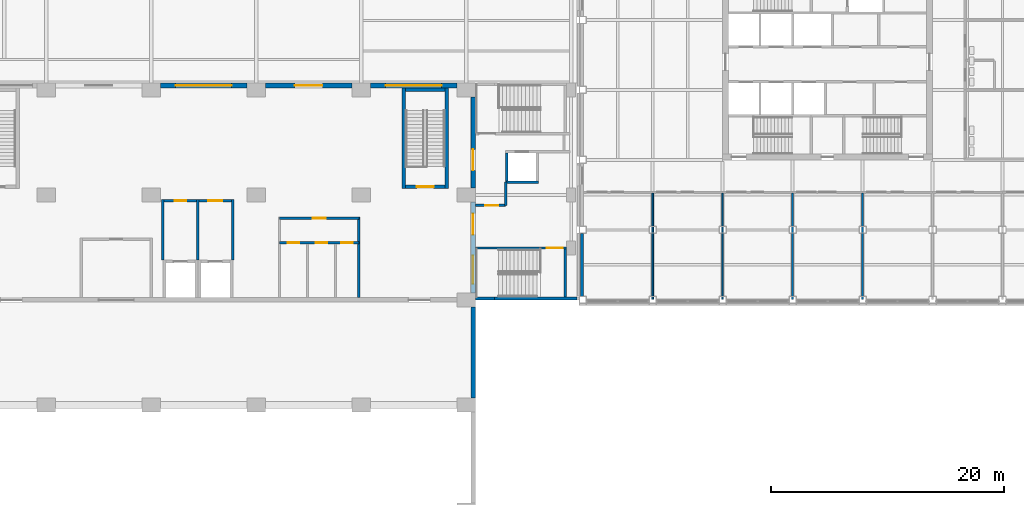
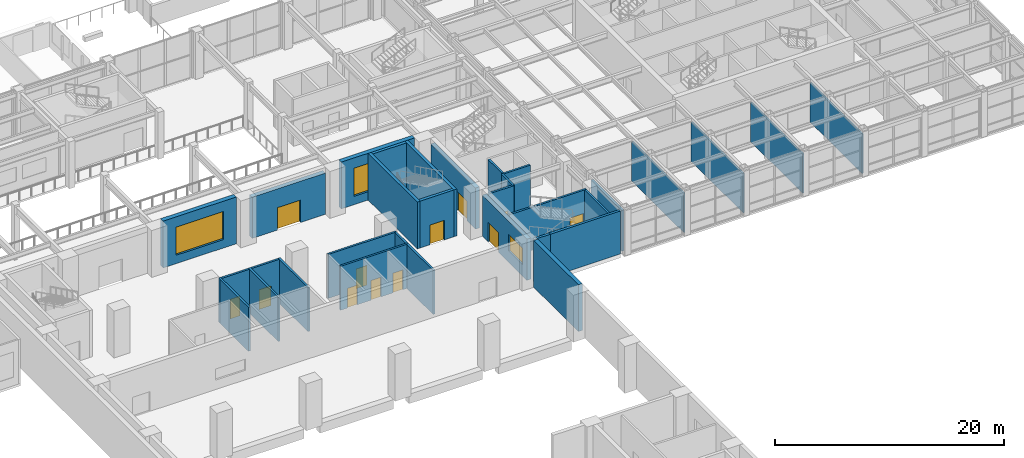
# One storey, part 41 of 67: 30 walls, 12 doors, 3 windows, 15 openings.
"""IFC4 building model written with IfcOpenShell, lengths in metres."""

from ifc_helpers import new_model, si_unit, direction, frame, frame_2d, origin, place, context, subcontext, project, spatial, rectangle, extrude, material, layer, layer_set, type_object, element, fill, save


model = new_model("IFC4")

# Units and contexts
model_context = context("Model", 3, precision=1e-05, world=origin(), true_north=direction((0.0, 1.0)))
body_context = subcontext(model_context, "Body", "Model", "MODEL_VIEW")
ifc_project = project(units=[si_unit("LENGTHUNIT", "METRE"), si_unit("AREAUNIT", "SQUARE_METRE"), si_unit("VOLUMEUNIT", "CUBIC_METRE"), si_unit("PLANEANGLEUNIT", "RADIAN"), si_unit("MASSUNIT", "GRAM", prefix="KILO")], contexts=[model_context])

# Site, building, storey
site_placement = place(None, origin())
site = spatial("IfcSite", under=ifc_project, at=site_placement, CompositionType="ELEMENT")
building_placement = place(site_placement, origin())
building = spatial("IfcBuilding", under=site, at=building_placement, Name="Aravalli Gate Trade Fair Centre", CompositionType="ELEMENT")
storey_placement = place(building_placement, frame((0.0, 0.0, 5.0)))
storey = spatial("IfcBuildingStorey", under=building, at=storey_placement, Name="L01", CompositionType="ELEMENT", Elevation=5.0)

# Walls
ifc_material_1 = material(Name="Concrete M40", Category="concrete")
ifc_layer_1 = layer(ifc_material_1, 0.300048828125)
ifc_layer_set_1 = layer_set([ifc_layer_1], Name="Concrete M40")
wall_type_1 = type_object("IfcWallType", Name="Congress RC wall 300", PredefinedType="SHEAR", material=ifc_layer_set_1)
for number, where, z_axis, x_axis, name in (
    (1, (144.64990234375, 100.550048828125, 0.0), (0.0, 0.0, 1.0), (0.0, 1.0, 0.0), "Foyer Stair East wall W L01"),
    (2, (148.35009765625, 100.550048828125, 0.0), (0.0, 0.0, 1.0), (0.0, 1.0, 0.0), "Foyer Stair East wall E L01"),
):
    element("IfcWall", number, at=place(storey_placement, frame(where, z_axis=z_axis, x_axis=x_axis)), inside=storey, type_object=wall_type_1, Name=name, PredefinedType="SHEAR", context=body_context, shape_type="SweptSolid", body=[
        extrude(rectangle(XDim=8.599853515625, YDim=0.300048828125, at=frame_2d((4.2998046875, 0.0))), origin(), (0.0, 0.0, 1.0), 5.0),
    ])

# Wall, opening, door
wall_1_placement = place(storey_placement, frame((144.800048828125, 100.699951171875, 0.0), z_axis=(0.0, 0.0, 1.0), x_axis=(1.0, 0.0, 0.0)))
wall_1 = element("IfcWall", 3, at=wall_1_placement, inside=storey, type_object=wall_type_1, Name="Foyer Stair East wall S L01", PredefinedType="SHEAR", context=body_context, shape_type="SweptSolid", body=[
    extrude(rectangle(XDim=3.39990234375, YDim=0.300048828125, at=frame_2d((1.699951171875, 0.0))), origin(), (0.0, 0.0, 1.0), 5.0),
])
opening_1_placement = place(wall_1_placement, frame((0.97509765625, 0.0, 0.0)))
opening_1 = element("IfcOpeningElement", 4, at=opening_1_placement, cuts=wall_1, Name="Opening G-L01-08", PredefinedType="OPENING", context=body_context, shape_type="SweptSolid", body=[
    extrude(rectangle(XDim=1.449951171875, YDim=2.10009765625, at=frame_2d((0.72509765625, 1.050048828125))), frame((0.0, 0.159912109375, 0.0), z_axis=(0.0, -1.0, 0.0), x_axis=(1.0, 0.0, 0.0)), (0.0, 0.0, 1.0), 0.320068359375),
])
ifc_material_2 = material(Name="Steel, fire rated", Category="steel")
door_type_1 = type_object("IfcDoorType", Name="Congress fire door FD120 1450 x 2100", OperationType="SINGLE_SWING_LEFT", PredefinedType="DOOR", material=ifc_material_2)
door_1_placement = place(opening_1_placement, origin())
door_1 = element("IfcDoor", 5, at=door_1_placement, inside=storey, type_object=door_type_1, Name="Foyer Stair East door L01", OperationType="SINGLE_SWING_LEFT", OverallHeight=2.10009765625, OverallWidth=1.449951171875, PredefinedType="DOOR", context=body_context, shape_type="SweptSolid", body=[
    extrude(rectangle(XDim=1.449951171875, YDim=2.10009765625, at=frame_2d((0.72509765625, 1.050048828125))), frame((0.0, 0.02490234375, 0.0), z_axis=(0.0, -1.0, 0.0), x_axis=(1.0, 0.0, 0.0)), (0.0, 0.0, 1.0), 0.050048828125),
])
fill(opening_1, door_1)

# Walls
wall_2_placement = place(storey_placement, frame((144.800048828125, 109.0, 0.0), z_axis=(0.0, 0.0, 1.0), x_axis=(1.0, 0.0, 0.0)))
element("IfcWall", 6, at=wall_2_placement, inside=storey, type_object=wall_type_1, Name="Foyer Stair East wall N L01", PredefinedType="SHEAR", context=body_context, shape_type="SweptSolid", body=[
    extrude(rectangle(XDim=3.39990234375, YDim=0.300048828125, at=frame_2d((1.699951171875, 0.0))), origin(), (0.0, 0.0, 1.0), 5.0),
])
ifc_layer_2 = layer(ifc_material_1, 0.25, Name="Structural wall")
ifc_material_3 = material(Name="Ventilated air cavity")
ifc_layer_3 = layer(ifc_material_3, 0.050048828125, ventilated=True, Name="Ventilated cavity")
ifc_material_4 = material(Name="Terracotta rainscreen", Category="masonry")
ifc_layer_4 = layer(ifc_material_4, 0.10009765625, Name="Rainscreen cladding")
ifc_layer_set_2 = layer_set([ifc_layer_2, ifc_layer_3, ifc_layer_4], Name="Congress external wall 400")
wall_type_2 = type_object("IfcWallType", Name="Congress external wall 400", PredefinedType="SOLIDWALL", material=ifc_layer_set_2)
wall_3_placement = place(storey_placement, frame((150.60009765625, 82.60009765625, 0.0), z_axis=(0.0, 0.0, 1.0), x_axis=(0.0, 1.0, 0.0)))
element("IfcWall", 7, at=wall_3_placement, inside=storey, type_object=wall_type_2, Name="East wall L01 bay 5", PredefinedType="SOLIDWALL", context=body_context, shape_type="SweptSolid", body=[
    extrude(rectangle(XDim=7.7998046875, YDim=0.39990234375, at=frame_2d((3.89990234375, 0.0))), origin(), (0.0, 0.0, 1.0), 5.0),
])

# Wall, openings, door, window
wall_4_placement = place(storey_placement, frame((150.60009765625, 91.60009765625, 0.0), z_axis=(0.0, 0.0, 1.0), x_axis=(0.0, 1.0, 0.0)))
wall_4 = element("IfcWall", 8, at=wall_4_placement, inside=storey, type_object=wall_type_2, Name="East wall L01 bay 6", PredefinedType="SOLIDWALL", context=body_context, shape_type="SweptSolid", body=[
    extrude(rectangle(XDim=7.7998046875, YDim=0.39990234375, at=frame_2d((3.89990234375, 0.0))), origin(), (0.0, 0.0, 1.0), 4.39990234375),
])
opening_2_placement = place(wall_4_placement, frame((5.0, 0.0, 0.0)))
opening_2 = element("IfcOpeningElement", 9, at=opening_2_placement, cuts=wall_4, Name="Opening G-L01-01", PredefinedType="OPENING", context=body_context, shape_type="SweptSolid", body=[
    extrude(rectangle(XDim=1.800048828125, YDim=2.10009765625, at=frame_2d((0.89990234375, 1.050048828125))), frame((0.0, 0.2099609375, 0.0), z_axis=(0.0, -1.0, 0.0), x_axis=(1.0, 0.0, 0.0)), (0.0, 0.0, 1.0), 0.419921875),
])
opening_3_placement = place(wall_4_placement, frame((0.800048828125, 0.0, 1.199951171875)))
opening_3 = element("IfcOpeningElement", 10, at=opening_3_placement, cuts=wall_4, Name="Opening GWN4", PredefinedType="OPENING", context=body_context, shape_type="SweptSolid", body=[
    extrude(rectangle(XDim=2.39990234375, YDim=1.800048828125, at=frame_2d((1.199951171875, 0.89990234375))), frame((0.0, 0.2099609375, 0.0), z_axis=(0.0, -1.0, 0.0), x_axis=(1.0, 0.0, 0.0)), (0.0, 0.0, 1.0), 0.419921875),
])
door_type_2 = type_object("IfcDoorType", Name="Congress fire door FD120 1800 x 2100 double door single swing", OperationType="DOUBLE_DOOR_SINGLE_SWING", PredefinedType="DOOR", material=ifc_material_2)
door_2_placement = place(opening_2_placement, frame((1.800048828125, 0.0, 0.0), z_axis=(0.0, 0.0, 1.0), x_axis=(-1.0, 0.0, 0.0)))
door_2 = element("IfcDoor", 11, at=door_2_placement, inside=storey, type_object=door_type_2, Name="Link door L01 1", OperationType="DOUBLE_DOOR_SINGLE_SWING", OverallHeight=2.10009765625, OverallWidth=1.800048828125, PredefinedType="DOOR", context=body_context, shape_type="SweptSolid", body=[
    extrude(rectangle(XDim=1.800048828125, YDim=2.10009765625, at=frame_2d((0.89990234375, 1.050048828125))), frame((0.0, 0.02490234375, 0.0), z_axis=(0.0, -1.0, 0.0), x_axis=(1.0, 0.0, 0.0)), (0.0, 0.0, 1.0), 0.050048828125),
])
fill(opening_2, door_2)
ifc_material_5 = material(Name="Aluminium and glass", Category="aluminium")
window_type_1 = type_object("IfcWindowType", Name="Congress wing window 2400 x 1800", PartitioningType="DOUBLE_PANEL_VERTICAL", PredefinedType="WINDOW", material=ifc_material_5)
window_1_placement = place(opening_3_placement, origin())
window_1 = element("IfcWindow", 12, at=window_1_placement, inside=storey, type_object=window_type_1, Name="East window L01 bay 6", OverallHeight=1.800048828125, OverallWidth=2.39990234375, PartitioningType="SINGLE_PANEL", PredefinedType="WINDOW", context=body_context, shape_type="SweptSolid", body=[
    extrude(rectangle(XDim=2.39990234375, YDim=1.800048828125, at=frame_2d((1.199951171875, 0.89990234375))), frame((0.0, 0.030029296875, 0.0), z_axis=(0.0, -1.0, 0.0), x_axis=(1.0, 0.0, 0.0)), (0.0, 0.0, 1.0), 0.06005859375),
])
fill(opening_3, window_1)

# Wall, opening, door
wall_5_placement = place(storey_placement, frame((150.60009765625, 100.60009765625, 0.0), z_axis=(0.0, 0.0, 1.0), x_axis=(0.0, 1.0, 0.0)))
wall_5 = element("IfcWall", 13, at=wall_5_placement, inside=storey, type_object=wall_type_2, Name="East wall L01 bay 7", PredefinedType="SOLIDWALL", context=body_context, shape_type="SweptSolid", body=[
    extrude(rectangle(XDim=7.7998046875, YDim=0.39990234375, at=frame_2d((3.89990234375, 0.0))), origin(), (0.0, 0.0, 1.0), 4.39990234375),
])
opening_4_placement = place(wall_5_placement, frame((1.5, 0.0, 0.0)))
opening_4 = element("IfcOpeningElement", 14, at=opening_4_placement, cuts=wall_5, Name="Opening G-L01-02", PredefinedType="OPENING", context=body_context, shape_type="SweptSolid", body=[
    extrude(rectangle(XDim=1.800048828125, YDim=2.10009765625, at=frame_2d((0.89990234375, 1.050048828125))), frame((0.0, 0.2099609375, 0.0), z_axis=(0.0, -1.0, 0.0), x_axis=(1.0, 0.0, 0.0)), (0.0, 0.0, 1.0), 0.419921875),
])
door_3_placement = place(opening_4_placement, frame((1.800048828125, 0.0, 0.0), z_axis=(0.0, 0.0, 1.0), x_axis=(-1.0, 0.0, 0.0)))
door_3 = element("IfcDoor", 15, at=door_3_placement, inside=storey, type_object=door_type_2, Name="Link door L01 2", OperationType="DOUBLE_DOOR_SINGLE_SWING", OverallHeight=2.10009765625, OverallWidth=1.800048828125, PredefinedType="DOOR", context=body_context, shape_type="SweptSolid", body=[
    extrude(rectangle(XDim=1.800048828125, YDim=2.10009765625, at=frame_2d((0.89990234375, 1.050048828125))), frame((0.0, 0.02490234375, 0.0), z_axis=(0.0, -1.0, 0.0), x_axis=(1.0, 0.0, 0.0)), (0.0, 0.0, 1.0), 0.050048828125),
])
fill(opening_4, door_3)

# Walls
ifc_material_6 = material(Name="Concrete block masonry", Category="masonry")
ifc_layer_5 = layer(ifc_material_6, 0.199951171875)
ifc_layer_set_3 = layer_set([ifc_layer_5], Name="Concrete block masonry")
wall_type_3 = type_object("IfcWallType", Name="Congress partition 200", PredefinedType="PARTITIONING", material=ifc_layer_set_3)
for number, where, z_axis, x_axis, name in (
    (16, (124.0, 94.39990234375, 0.0), (0.0, 0.0, 1.0), (0.0, 1.0, 0.0), "Lift lobby wall W L01"),
    (17, (127.0, 94.39990234375, 0.0), (0.0, 0.0, 1.0), (0.0, 1.0, 0.0), "Lift lobby wall M L01"),
    (18, (130.0, 94.39990234375, 0.0), (0.0, 0.0, 1.0), (0.0, 1.0, 0.0), "Lift lobby wall E L01"),
):
    element("IfcWall", number, at=place(storey_placement, frame(where, z_axis=z_axis, x_axis=x_axis)), inside=storey, type_object=wall_type_3, Name=name, PredefinedType="PARTITIONING", context=body_context, shape_type="SweptSolid", body=[
        extrude(rectangle(XDim=5.2001953125, YDim=0.199951171875, at=frame_2d((2.60009765625, 0.0))), origin(), (0.0, 0.0, 1.0), 4.699951171875),
    ])

# Wall, openings, doors
wall_6_placement = place(storey_placement, frame((123.89990234375, 99.5, 0.0), z_axis=(0.0, 0.0, 1.0), x_axis=(1.0, 0.0, 0.0)))
wall_6 = element("IfcWall", 19, at=wall_6_placement, inside=storey, type_object=wall_type_3, Name="Lift lobby wall N L01", PredefinedType="PARTITIONING", context=body_context, shape_type="SweptSolid", body=[
    extrude(rectangle(XDim=6.2001953125, YDim=0.199951171875, at=frame_2d((3.10009765625, 0.0))), origin(), (0.0, 0.0, 1.0), 4.699951171875),
])
opening_5_placement = place(wall_6_placement, frame((1.10009765625, 0.0, 0.0)))
opening_5 = element("IfcOpeningElement", 20, at=opening_5_placement, cuts=wall_6, Name="Opening G-L01-11", PredefinedType="OPENING", context=body_context, shape_type="SweptSolid", body=[
    extrude(rectangle(XDim=1.0, YDim=2.10009765625, at=frame_2d((0.5, 1.050048828125))), frame((0.0, 0.10986328125, 0.0), z_axis=(0.0, -1.0, 0.0), x_axis=(1.0, 0.0, 0.0)), (0.0, 0.0, 1.0), 0.219970703125),
])
opening_6_placement = place(wall_6_placement, frame((4.0, 0.0, 0.0)))
opening_6 = element("IfcOpeningElement", 21, at=opening_6_placement, cuts=wall_6, Name="Opening G-L01-12", PredefinedType="OPENING", context=body_context, shape_type="SweptSolid", body=[
    extrude(rectangle(XDim=1.199951171875, YDim=2.10009765625, at=frame_2d((0.60009765625, 1.050048828125))), frame((0.0, 0.10986328125, 0.0), z_axis=(0.0, -1.0, 0.0), x_axis=(1.0, 0.0, 0.0)), (0.0, 0.0, 1.0), 0.219970703125),
])
door_type_3 = type_object("IfcDoorType", Name="Congress fire door FD120 1200 x 2100", OperationType="SINGLE_SWING_LEFT", PredefinedType="DOOR", material=ifc_material_2)
door_4_placement = place(opening_6_placement, frame((1.199951171875, 0.0, 0.0), z_axis=(0.0, 0.0, 1.0), x_axis=(-1.0, 0.0, 0.0)))
door_4 = element("IfcDoor", 22, at=door_4_placement, inside=storey, type_object=door_type_3, Name="Firefighting lobby door L01", OperationType="SINGLE_SWING_RIGHT", OverallHeight=2.10009765625, OverallWidth=1.199951171875, PredefinedType="DOOR", context=body_context, shape_type="SweptSolid", body=[
    extrude(rectangle(XDim=1.199951171875, YDim=2.10009765625, at=frame_2d((0.60009765625, 1.050048828125))), frame((0.0, 0.02490234375, 0.0), z_axis=(0.0, -1.0, 0.0), x_axis=(1.0, 0.0, 0.0)), (0.0, 0.0, 1.0), 0.050048828125),
])
fill(opening_6, door_4)
door_type_4 = type_object("IfcDoorType", Name="Congress fire door FD60 1000 x 2100", OperationType="SINGLE_SWING_LEFT", PredefinedType="DOOR", material=ifc_material_2)
door_5_placement = place(opening_5_placement, frame((1.0, 0.0, 0.0), z_axis=(0.0, 0.0, 1.0), x_axis=(-1.0, 0.0, 0.0)))
door_5 = element("IfcDoor", 23, at=door_5_placement, inside=storey, type_object=door_type_4, Name="Lift lobby door L01", OperationType="SINGLE_SWING_LEFT", OverallHeight=2.10009765625, OverallWidth=1.0, PredefinedType="DOOR", context=body_context, shape_type="SweptSolid", body=[
    extrude(rectangle(XDim=1.0, YDim=2.10009765625, at=frame_2d((0.5, 1.050048828125))), frame((0.0, 0.02490234375, 0.0), z_axis=(0.0, -1.0, 0.0), x_axis=(1.0, 0.0, 0.0)), (0.0, 0.0, 1.0), 0.050048828125),
])
fill(opening_5, door_5)

# Wall
wall_7_placement = place(storey_placement, frame((140.800048828125, 91.199951171875, 0.0), z_axis=(0.0, 0.0, 1.0), x_axis=(0.0, 1.0, 0.0)))
element("IfcWall", 24, at=wall_7_placement, inside=storey, type_object=wall_type_3, Name="WC block wall E L01", PredefinedType="PARTITIONING", context=body_context, shape_type="SweptSolid", body=[
    extrude(rectangle(XDim=6.900146484375, YDim=0.199951171875, at=frame_2d((3.4501953125, 0.0))), origin(), (0.0, 0.0, 1.0), 4.699951171875),
])

# Wall, opening, door
wall_8_placement = place(storey_placement, frame((134.0, 98.0, 0.0), z_axis=(0.0, 0.0, 1.0), x_axis=(1.0, 0.0, 0.0)))
wall_8 = element("IfcWall", 25, at=wall_8_placement, inside=storey, type_object=wall_type_3, Name="WC block front wall L01", PredefinedType="PARTITIONING", context=body_context, shape_type="SweptSolid", body=[
    extrude(rectangle(XDim=6.800048828125, YDim=0.199951171875, at=frame_2d((3.39990234375, 0.0))), origin(), (0.0, 0.0, 1.0), 4.699951171875),
])
opening_7_placement = place(wall_8_placement, frame((2.85009765625, 0.0, 0.0)))
opening_7 = element("IfcOpeningElement", 26, at=opening_7_placement, cuts=wall_8, Name="Opening G-L01-13", PredefinedType="OPENING", context=body_context, shape_type="SweptSolid", body=[
    extrude(rectangle(XDim=1.10009765625, YDim=2.10009765625, at=frame_2d((0.550048828125, 1.050048828125))), frame((0.0, 0.10986328125, 0.0), z_axis=(0.0, -1.0, 0.0), x_axis=(1.0, 0.0, 0.0)), (0.0, 0.0, 1.0), 0.219970703125),
])
door_type_5 = type_object("IfcDoorType", Name="Congress fire door FD60 1100 x 2100", OperationType="SINGLE_SWING_LEFT", PredefinedType="DOOR", material=ifc_material_2)
door_6_placement = place(opening_7_placement, frame((1.10009765625, 0.0, 0.0), z_axis=(0.0, 0.0, 1.0), x_axis=(-1.0, 0.0, 0.0)))
door_6 = element("IfcDoor", 27, at=door_6_placement, inside=storey, type_object=door_type_5, Name="WC anteroom door L01", OperationType="SINGLE_SWING_LEFT", OverallHeight=2.10009765625, OverallWidth=1.10009765625, PredefinedType="DOOR", context=body_context, shape_type="SweptSolid", body=[
    extrude(rectangle(XDim=1.10009765625, YDim=2.10009765625, at=frame_2d((0.550048828125, 1.050048828125))), frame((0.0, 0.02490234375, 0.0), z_axis=(0.0, -1.0, 0.0), x_axis=(1.0, 0.0, 0.0)), (0.0, 0.0, 1.0), 0.050048828125),
])
fill(opening_7, door_6)

# Wall, openings, doors
wall_9_placement = place(storey_placement, frame((134.0, 95.89990234375, 0.0), z_axis=(0.0, 0.0, 1.0), x_axis=(1.0, 0.0, 0.0)))
wall_9 = element("IfcWall", 28, at=wall_9_placement, inside=storey, type_object=wall_type_3, Name="WC block partition L01", PredefinedType="PARTITIONING", context=body_context, shape_type="SweptSolid", body=[
    extrude(rectangle(XDim=6.800048828125, YDim=0.199951171875, at=frame_2d((3.39990234375, 0.0))), origin(), (0.0, 0.0, 1.0), 4.699951171875),
])
opening_8_placement = place(wall_9_placement, frame((0.699951171875, 0.0, 0.0)))
opening_8 = element("IfcOpeningElement", 29, at=opening_8_placement, cuts=wall_9, Name="Opening G-L01-14", PredefinedType="OPENING", context=body_context, shape_type="SweptSolid", body=[
    extrude(rectangle(XDim=1.0, YDim=2.10009765625, at=frame_2d((0.5, 1.050048828125))), frame((0.0, 0.10986328125, 0.0), z_axis=(0.0, -1.0, 0.0), x_axis=(1.0, 0.0, 0.0)), (0.0, 0.0, 1.0), 0.219970703125),
])
opening_9_placement = place(wall_9_placement, frame((3.10009765625, 0.0, 0.0)))
opening_9 = element("IfcOpeningElement", 30, at=opening_9_placement, cuts=wall_9, Name="Opening G-L01-15", PredefinedType="OPENING", context=body_context, shape_type="SweptSolid", body=[
    extrude(rectangle(XDim=1.0, YDim=2.10009765625, at=frame_2d((0.5, 1.050048828125))), frame((0.0, 0.10986328125, 0.0), z_axis=(0.0, -1.0, 0.0), x_axis=(1.0, 0.0, 0.0)), (0.0, 0.0, 1.0), 0.219970703125),
])
opening_10_placement = place(wall_9_placement, frame((5.300048828125, 0.0, 0.0)))
opening_10 = element("IfcOpeningElement", 31, at=opening_10_placement, cuts=wall_9, Name="Opening G-L01-16", PredefinedType="OPENING", context=body_context, shape_type="SweptSolid", body=[
    extrude(rectangle(XDim=1.0, YDim=2.10009765625, at=frame_2d((0.5, 1.050048828125))), frame((0.0, 0.10986328125, 0.0), z_axis=(0.0, -1.0, 0.0), x_axis=(1.0, 0.0, 0.0)), (0.0, 0.0, 1.0), 0.219970703125),
])
ifc_material_7 = material(Name="Timber and steel", Category="steel")
door_type_6 = type_object("IfcDoorType", Name="Congress door 1000 x 2100", OperationType="SINGLE_SWING_LEFT", PredefinedType="DOOR", material=ifc_material_7)
door_7_placement = place(opening_8_placement, frame((1.0, 0.0, 0.0), z_axis=(0.0, 0.0, 1.0), x_axis=(-1.0, 0.0, 0.0)))
door_7 = element("IfcDoor", 32, at=door_7_placement, inside=storey, type_object=door_type_6, Name="Gents WC door L01", OperationType="SINGLE_SWING_LEFT", OverallHeight=2.10009765625, OverallWidth=1.0, PredefinedType="DOOR", context=body_context, shape_type="SweptSolid", body=[
    extrude(rectangle(XDim=1.0, YDim=2.10009765625, at=frame_2d((0.5, 1.050048828125))), frame((0.0, 0.02490234375, 0.0), z_axis=(0.0, -1.0, 0.0), x_axis=(1.0, 0.0, 0.0)), (0.0, 0.0, 1.0), 0.050048828125),
])
fill(opening_8, door_7)
door_8_placement = place(opening_9_placement, frame((1.0, 0.0, 0.0), z_axis=(0.0, 0.0, 1.0), x_axis=(-1.0, 0.0, 0.0)))
door_8 = element("IfcDoor", 33, at=door_8_placement, inside=storey, type_object=door_type_6, Name="Ladies WC door L01", OperationType="SINGLE_SWING_RIGHT", OverallHeight=2.10009765625, OverallWidth=1.0, PredefinedType="DOOR", context=body_context, shape_type="SweptSolid", body=[
    extrude(rectangle(XDim=1.0, YDim=2.10009765625, at=frame_2d((0.5, 1.050048828125))), frame((0.0, 0.02490234375, 0.0), z_axis=(0.0, -1.0, 0.0), x_axis=(1.0, 0.0, 0.0)), (0.0, 0.0, 1.0), 0.050048828125),
])
fill(opening_9, door_8)
door_9_placement = place(opening_10_placement, frame((1.0, 0.0, 0.0), z_axis=(0.0, 0.0, 1.0), x_axis=(-1.0, 0.0, 0.0)))
door_9 = element("IfcDoor", 34, at=door_9_placement, inside=storey, type_object=door_type_6, Name="Accessible WC door L01", OperationType="SINGLE_SWING_RIGHT", OverallHeight=2.10009765625, OverallWidth=1.0, PredefinedType="DOOR", context=body_context, shape_type="SweptSolid", body=[
    extrude(rectangle(XDim=1.0, YDim=2.10009765625, at=frame_2d((0.5, 1.050048828125))), frame((0.0, 0.02490234375, 0.0), z_axis=(0.0, -1.0, 0.0), x_axis=(1.0, 0.0, 0.0)), (0.0, 0.0, 1.0), 0.050048828125),
])
fill(opening_10, door_9)

# Wall, opening, window
ifc_layer_6 = layer(ifc_material_1, 0.449951171875)
ifc_layer_set_4 = layer_set([ifc_layer_6], Name="Concrete M40")
wall_type_4 = type_object("IfcWallType", Name="Congress party wall 450", PredefinedType="SOLIDWALL", material=ifc_layer_set_4)
wall_10_placement = place(storey_placement, frame((123.800048828125, 109.375, 0.0), z_axis=(0.0, 0.0, 1.0), x_axis=(1.0, 0.0, 0.0)))
wall_10 = element("IfcWall", 35, at=wall_10_placement, inside=storey, type_object=wall_type_4, Name="North wall L01 bay 3", PredefinedType="SOLIDWALL", context=body_context, shape_type="SweptSolid", body=[
    extrude(rectangle(XDim=7.39990234375, YDim=0.449951171875, at=frame_2d((3.699951171875, 0.0))), origin(), (0.0, 0.0, 1.0), 5.0),
])
opening_11_placement = place(wall_10_placement, frame((1.300048828125, 0.0, 0.89990234375)))
opening_11 = element("IfcOpeningElement", 36, at=opening_11_placement, cuts=wall_10, Name="Opening GWN3", PredefinedType="OPENING", context=body_context, shape_type="SweptSolid", body=[
    extrude(rectangle(XDim=4.800048828125, YDim=3.0, at=frame_2d((2.39990234375, 1.5))), frame((0.0, 0.23486328125, 0.0), z_axis=(0.0, -1.0, 0.0), x_axis=(1.0, 0.0, 0.0)), (0.0, 0.0, 1.0), 0.469970703125),
])
window_type_2 = type_object("IfcWindowType", Name="Congress foyer window 4800 x 3000", PartitioningType="SINGLE_PANEL", PredefinedType="WINDOW", material=ifc_material_5)
window_2_placement = place(opening_11_placement, origin())
window_2 = element("IfcWindow", 37, at=window_2_placement, inside=storey, type_object=window_type_2, Name="Foyer window L01 bay 3", OverallHeight=3.0, OverallWidth=4.800048828125, PartitioningType="SINGLE_PANEL", PredefinedType="WINDOW", context=body_context, shape_type="SweptSolid", body=[
    extrude(rectangle(XDim=4.800048828125, YDim=3.0, at=frame_2d((2.39990234375, 1.5))), frame((0.0, 0.030029296875, 0.0), z_axis=(0.0, -1.0, 0.0), x_axis=(1.0, 0.0, 0.0)), (0.0, 0.0, 1.0), 0.06005859375),
])
fill(opening_11, window_2)

# Wall, opening, door
wall_11_placement = place(storey_placement, frame((132.800048828125, 109.375, 0.0), z_axis=(0.0, 0.0, 1.0), x_axis=(1.0, 0.0, 0.0)))
wall_11 = element("IfcWall", 38, at=wall_11_placement, inside=storey, type_object=wall_type_4, Name="North wall L01 bay 4", PredefinedType="SOLIDWALL", context=body_context, shape_type="SweptSolid", body=[
    extrude(rectangle(XDim=7.39990234375, YDim=0.449951171875, at=frame_2d((3.699951171875, 0.0))), origin(), (0.0, 0.0, 1.0), 4.39990234375),
])
opening_12_placement = place(wall_11_placement, frame((2.52490234375, 0.0, 0.0)))
opening_12 = element("IfcOpeningElement", 39, at=opening_12_placement, cuts=wall_11, Name="Opening G-L01-04", PredefinedType="OPENING", context=body_context, shape_type="SweptSolid", body=[
    extrude(rectangle(XDim=2.35009765625, YDim=2.39990234375, at=frame_2d((1.175048828125, 1.199951171875))), frame((0.0, 0.23486328125, 0.0), z_axis=(0.0, -1.0, 0.0), x_axis=(1.0, 0.0, 0.0)), (0.0, 0.0, 1.0), 0.469970703125),
])
door_type_7 = type_object("IfcDoorType", Name="Congress glazed entrance door 2350 x 2400 double door single swing", OperationType="DOUBLE_DOOR_SINGLE_SWING", PredefinedType="DOOR", material=ifc_material_5)
door_10_placement = place(opening_12_placement, frame((2.35009765625, 0.0, 0.0), z_axis=(0.0, 0.0, 1.0), x_axis=(-1.0, 0.0, 0.0)))
door_10 = element("IfcDoor", 40, at=door_10_placement, inside=storey, type_object=door_type_7, Name="Foyer gallery door L01 3", OperationType="DOUBLE_DOOR_SINGLE_SWING", OverallHeight=2.39990234375, OverallWidth=2.35009765625, PredefinedType="DOOR", context=body_context, shape_type="SweptSolid", body=[
    extrude(rectangle(XDim=2.35009765625, YDim=2.39990234375, at=frame_2d((1.175048828125, 1.199951171875))), frame((0.0, 0.02490234375, 0.0), z_axis=(0.0, -1.0, 0.0), x_axis=(1.0, 0.0, 0.0)), (0.0, 0.0, 1.0), 0.050048828125),
])
fill(opening_12, door_10)

# Wall, opening, window
wall_12_placement = place(storey_placement, frame((141.800048828125, 109.375, 0.0), z_axis=(0.0, 0.0, 1.0), x_axis=(1.0, 0.0, 0.0)))
wall_12 = element("IfcWall", 41, at=wall_12_placement, inside=storey, type_object=wall_type_4, Name="North wall L01 bay 5", PredefinedType="SOLIDWALL", context=body_context, shape_type="SweptSolid", body=[
    extrude(rectangle(XDim=7.39990234375, YDim=0.449951171875, at=frame_2d((3.699951171875, 0.0))), origin(), (0.0, 0.0, 1.0), 5.0),
])
opening_13_placement = place(wall_12_placement, frame((1.300048828125, 0.0, 0.89990234375)))
opening_13 = element("IfcOpeningElement", 42, at=opening_13_placement, cuts=wall_12, Name="Opening GWN3", PredefinedType="OPENING", context=body_context, shape_type="SweptSolid", body=[
    extrude(rectangle(XDim=4.800048828125, YDim=3.0, at=frame_2d((2.39990234375, 1.5))), frame((0.0, 0.23486328125, 0.0), z_axis=(0.0, -1.0, 0.0), x_axis=(1.0, 0.0, 0.0)), (0.0, 0.0, 1.0), 0.469970703125),
])
window_3_placement = place(opening_13_placement, origin())
window_3 = element("IfcWindow", 43, at=window_3_placement, inside=storey, type_object=window_type_2, Name="Foyer window L01 bay 5", OverallHeight=3.0, OverallWidth=4.800048828125, PartitioningType="SINGLE_PANEL", PredefinedType="WINDOW", context=body_context, shape_type="SweptSolid", body=[
    extrude(rectangle(XDim=4.800048828125, YDim=3.0, at=frame_2d((2.39990234375, 1.5))), frame((0.0, 0.030029296875, 0.0), z_axis=(0.0, -1.0, 0.0), x_axis=(1.0, 0.0, 0.0)), (0.0, 0.0, 1.0), 0.06005859375),
])
fill(opening_13, window_3)

# Walls
ifc_material_8 = material(Name="Concrete M30", Category="concrete")
ifc_layer_7 = layer(ifc_material_8, 0.2099609375, Name="Reinforced concrete")
ifc_material_9 = material(Name="Terracotta cladding", Category="masonry")
ifc_layer_8 = layer(ifc_material_9, 0.0400390625, Name="Terracotta cladding")
ifc_layer_set_5 = layer_set([ifc_layer_7, ifc_layer_8], Name="Link external wall 250")
wall_type_5 = type_object("IfcWallType", Name="Link external wall 250", PredefinedType="SOLIDWALL", material=ifc_layer_set_5)
wall_13_placement = place(storey_placement, frame((150.800048828125, 91.125, 0.0), z_axis=(0.0, 0.0, 1.0), x_axis=(1.0, 0.0, 0.0)))
element("IfcWall", 44, at=wall_13_placement, inside=storey, type_object=wall_type_5, Name="Link wall S1 L01", PredefinedType="SOLIDWALL", context=body_context, shape_type="SweptSolid", body=[
    extrude(rectangle(XDim=1.64990234375, YDim=0.25, at=frame_2d((0.824951171875, 0.0))), origin(), (0.0, 0.0, 1.0), 4.590087890625),
])
wall_14_placement = place(storey_placement, frame((152.449951171875, 91.125, 0.0), z_axis=(0.0, 0.0, 1.0), x_axis=(1.0, 0.0, 0.0)))
element("IfcWall", 45, at=wall_14_placement, inside=storey, type_object=wall_type_5, Name="Link wall S2 L01", PredefinedType="SOLIDWALL", context=body_context, shape_type="SweptSolid", body=[
    extrude(rectangle(XDim=7.050048828125, YDim=0.25, at=frame_2d((3.52490234375, 0.0))), origin(), (0.0, 0.0, 1.0), 4.590087890625),
])

# Wall, opening, door
ifc_layer_9 = layer(ifc_material_8, 0.199951171875)
ifc_layer_set_6 = layer_set([ifc_layer_9], Name="Concrete M30")
wall_type_6 = type_object("IfcWallType", Name="Link stair enclosure 200", PredefinedType="SOLIDWALL", material=ifc_layer_set_6)
wall_15_placement = place(storey_placement, frame((150.800048828125, 95.449951171875, 0.0), z_axis=(0.0, 0.0, 1.0), x_axis=(1.0, 0.0, 0.0)))
wall_15 = element("IfcWall", 46, at=wall_15_placement, inside=storey, type_object=wall_type_6, Name="Link wall LAN L01", PredefinedType="SOLIDWALL", context=body_context, shape_type="SweptSolid", body=[
    extrude(rectangle(XDim=7.800048828125, YDim=0.199951171875, at=frame_2d((3.89990234375, 0.0))), origin(), (0.0, 0.0, 1.0), 4.590087890625),
])
opening_14_placement = place(wall_15_placement, frame((6.10009765625, 0.0, 0.0)))
opening_14 = element("IfcOpeningElement", 47, at=opening_14_placement, cuts=wall_15, Name="Opening T-L01-191", PredefinedType="OPENING", context=body_context, shape_type="SweptSolid", body=[
    extrude(rectangle(XDim=1.39990234375, YDim=2.10009765625, at=frame_2d((0.699951171875, 1.050048828125))), frame((0.0, 0.10986328125, 0.0), z_axis=(0.0, -1.0, 0.0), x_axis=(1.0, 0.0, 0.0)), (0.0, 0.0, 1.0), 0.219970703125),
])
door_type_8 = type_object("IfcDoorType", Name="Wing fire door FD120 1400 x 2100", OperationType="DOUBLE_DOOR_SINGLE_SWING", PredefinedType="DOOR", material=ifc_material_2)
door_11_placement = place(opening_14_placement, frame((1.39990234375, 0.0, 0.0), z_axis=(0.0, 0.0, 1.0), x_axis=(-1.0, 0.0, 0.0)))
door_11 = element("IfcDoor", 48, at=door_11_placement, inside=storey, type_object=door_type_8, Name="Link door T-L01-191", OperationType="DOUBLE_DOOR_SINGLE_SWING", OverallHeight=2.10009765625, OverallWidth=1.39990234375, PredefinedType="DOOR", context=body_context, shape_type="SweptSolid", body=[
    extrude(rectangle(XDim=1.39990234375, YDim=2.10009765625, at=frame_2d((0.699951171875, 1.050048828125))), frame((0.0, 0.02490234375, 0.0), z_axis=(0.0, -1.0, 0.0), x_axis=(1.0, 0.0, 0.0)), (0.0, 0.0, 1.0), 0.050048828125),
])
fill(opening_14, door_11)

# Wall
wall_16_placement = place(storey_placement, frame((158.5, 91.25, 0.0), z_axis=(0.0, 0.0, 1.0), x_axis=(0.0, 1.0, 0.0)))
element("IfcWall", 49, at=wall_16_placement, inside=storey, type_object=wall_type_6, Name="Link wall LAE L01", PredefinedType="SOLIDWALL", context=body_context, shape_type="SweptSolid", body=[
    extrude(rectangle(XDim=4.10009765625, YDim=0.199951171875, at=frame_2d((2.050048828125, 0.0))), origin(), (0.0, 0.0, 1.0), 4.590087890625),
])

# Wall, opening, door
wall_17_placement = place(storey_placement, frame((150.800048828125, 99.10009765625, 0.0), z_axis=(0.0, 0.0, 1.0), x_axis=(1.0, 0.0, 0.0)))
wall_17 = element("IfcWall", 50, at=wall_17_placement, inside=storey, type_object=wall_type_6, Name="Link wall FHA L01", PredefinedType="SOLIDWALL", context=body_context, shape_type="SweptSolid", body=[
    extrude(rectangle(XDim=2.599853515625, YDim=0.199951171875, at=frame_2d((1.2998046875, 0.0))), origin(), (0.0, 0.0, 1.0), 4.590087890625),
])
opening_15_placement = place(wall_17_placement, frame((0.85009765625, 0.0, 0.0)))
opening_15 = element("IfcOpeningElement", 51, at=opening_15_placement, cuts=wall_17, Name="Opening T-L01-193", PredefinedType="OPENING", context=body_context, shape_type="SweptSolid", body=[
    extrude(rectangle(XDim=1.10009765625, YDim=2.10009765625, at=frame_2d((0.550048828125, 1.050048828125))), frame((0.0, 0.10986328125, 0.0), z_axis=(0.0, -1.0, 0.0), x_axis=(1.0, 0.0, 0.0)), (0.0, 0.0, 1.0), 0.219970703125),
])
door_type_9 = type_object("IfcDoorType", Name="Wing fire door FD120 1100 x 2100", OperationType="SINGLE_SWING_LEFT", PredefinedType="DOOR", material=ifc_material_2)
door_12_placement = place(opening_15_placement, origin())
door_12 = element("IfcDoor", 52, at=door_12_placement, inside=storey, type_object=door_type_9, Name="Firefighting lobby door T-L01-193", OperationType="SINGLE_SWING_RIGHT", OverallHeight=2.10009765625, OverallWidth=1.10009765625, PredefinedType="DOOR", context=body_context, shape_type="SweptSolid", body=[
    extrude(rectangle(XDim=1.10009765625, YDim=2.10009765625, at=frame_2d((0.550048828125, 1.050048828125))), frame((0.0, 0.02490234375, 0.0), z_axis=(0.0, -1.0, 0.0), x_axis=(1.0, 0.0, 0.0)), (0.0, 0.0, 1.0), 0.050048828125),
])
fill(opening_15, door_12)

# Walls
wall_18_placement = place(storey_placement, frame((153.39990234375, 99.10009765625, 0.0), z_axis=(0.0, 0.0, 1.0), x_axis=(0.0, 1.0, 0.0)))
element("IfcWall", 53, at=wall_18_placement, inside=storey, type_object=wall_type_6, Name="Link wall FHC L01", PredefinedType="SOLIDWALL", context=body_context, shape_type="SweptSolid", body=[
    extrude(rectangle(XDim=2.0, YDim=0.199951171875, at=frame_2d((1.0, 0.0))), origin(), (0.0, 0.0, 1.0), 4.590087890625),
])
wall_19_placement = place(storey_placement, frame((153.5, 101.199951171875, 0.0), z_axis=(0.0, 0.0, 1.0), x_axis=(0.0, 1.0, 0.0)))
element("IfcWall", 54, at=wall_19_placement, inside=storey, type_object=wall_type_6, Name="Link wall FHW L01", PredefinedType="SOLIDWALL", context=body_context, shape_type="SweptSolid", body=[
    extrude(rectangle(XDim=2.400146484375, YDim=0.199951171875, at=frame_2d((1.2001953125, 0.0))), origin(), (0.0, 0.0, 1.0), 4.590087890625),
])
wall_20_placement = place(storey_placement, frame((153.39990234375, 101.10009765625, 0.0), z_axis=(0.0, 0.0, 1.0), x_axis=(1.0, 0.0, 0.0)))
element("IfcWall", 55, at=wall_20_placement, inside=storey, type_object=wall_type_6, Name="Link wall FHB L01", PredefinedType="SOLIDWALL", context=body_context, shape_type="SweptSolid", body=[
    extrude(rectangle(XDim=2.800048828125, YDim=0.199951171875, at=frame_2d((1.39990234375, 0.0))), origin(), (0.0, 0.0, 1.0), 4.590087890625),
])
ifc_material_10 = material(Name="Blockwork with fire-rated lining", Category="masonry")
ifc_layer_10 = layer(ifc_material_10, 0.14990234375)
ifc_layer_set_7 = layer_set([ifc_layer_10], Name="Blockwork with fire-rated lining")
wall_type_7 = type_object("IfcWallType", Name="Wing partition 150 (EI 60, corridor wall)", PredefinedType="PARTITIONING", material=ifc_layer_set_7)
for number, where, z_axis, x_axis, name in (
    (56, (166.0, 91.050048828125, 0.0), (0.0, 0.0, 1.0), (0.0, 1.0, 0.0), "Partition SP1 L01"),
    (57, (172.0, 91.050048828125, 0.0), (0.0, 0.0, 1.0), (0.0, 1.0, 0.0), "Partition SP2 L01"),
    (58, (178.0, 91.050048828125, 0.0), (0.0, 0.0, 1.0), (0.0, 1.0, 0.0), "Partition SP3 L01"),
    (59, (184.0, 91.050048828125, 0.0), (0.0, 0.0, 1.0), (0.0, 1.0, 0.0), "Partition SP4 L01"),
):
    element("IfcWall", number, at=place(storey_placement, frame(where, z_axis=z_axis, x_axis=x_axis)), inside=storey, type_object=wall_type_7, Name=name, PredefinedType="PARTITIONING", context=body_context, shape_type="SweptSolid", body=[
        extrude(rectangle(XDim=9.099853515625, YDim=0.14990234375, at=frame_2d((4.5498046875, 0.0))), origin(), (0.0, 0.0, 1.0), 4.199951171875),
    ])
ifc_layer_11 = layer(ifc_material_6, 0.2099609375, Name="Block masonry")
ifc_layer_12 = layer(ifc_material_9, 0.0400390625, Name="Terracotta cladding")
ifc_layer_set_8 = layer_set([ifc_layer_11, ifc_layer_12], Name="Wing west closing wall 250")
wall_type_8 = type_object("IfcWallType", Name="Wing west closing wall 250", PredefinedType="SOLIDWALL", material=ifc_layer_set_8)
wall_21_placement = place(storey_placement, frame((159.925048828125, 91.300048828125, 0.0), z_axis=(0.0, 0.0, 1.0), x_axis=(0.0, 1.0, 0.0)))
element("IfcWall", 60, at=wall_21_placement, inside=storey, type_object=wall_type_8, Name="Facade wall W0 L01", PredefinedType="SOLIDWALL", context=body_context, shape_type="SweptSolid", body=[
    extrude(rectangle(XDim=5.39990234375, YDim=0.25, at=frame_2d((2.699951171875, 0.0))), origin(), (0.0, 0.0, 1.0), 4.35009765625),
])

save(model, "model.ifc")
